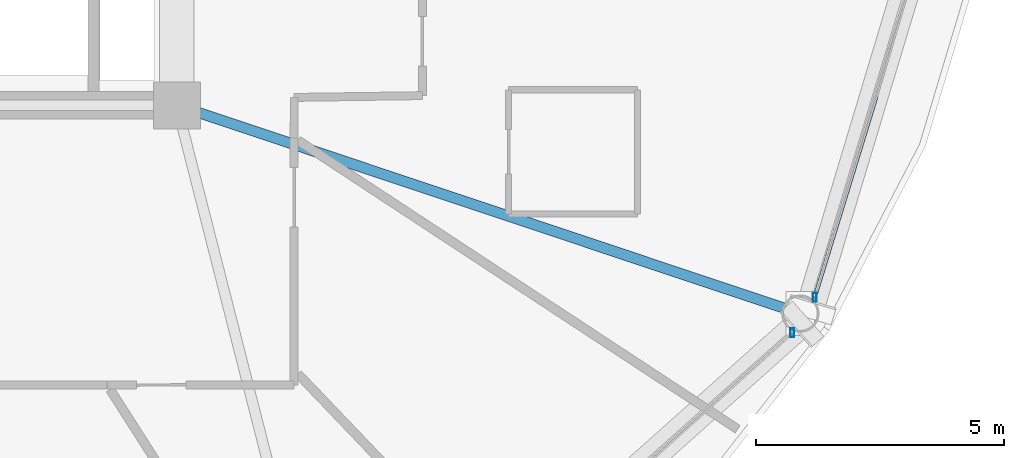
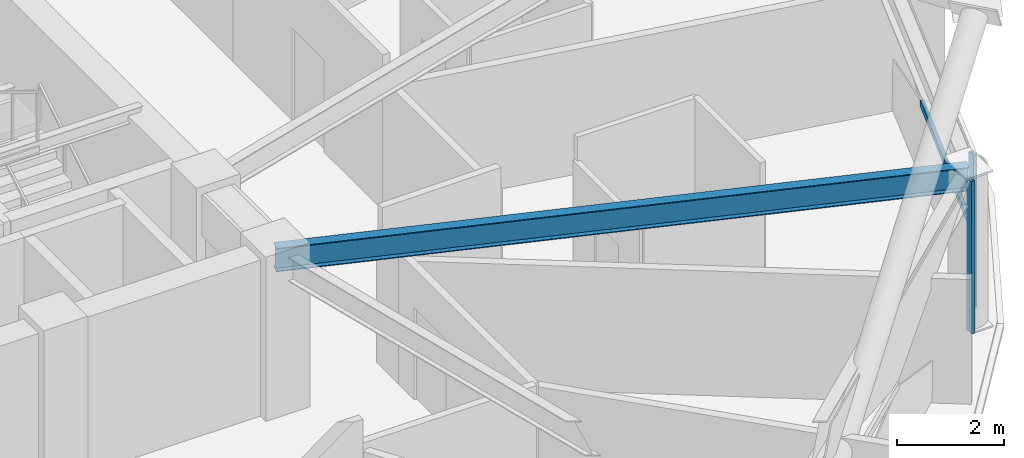
# One storey, part 10 of 32: 3 members, 1 beam, 2 elements without a shape of their own.
"""IFC4 building model written with IfcOpenShell, lengths in metres."""

from ifc_helpers import new_model, si_unit, direction, frame, origin, origin_2d, place, context, subcontext, project, spatial, hollow_rectangle, i_section, extrude, material, layer, layer_set, material_profile, profile_set, type_object, element, aggregate, save


model = new_model("IFC4")

# Units and contexts
model_context = context("Model", 3, precision=1e-05, world=origin(), true_north=direction((0.0, 1.0)))
body_context = subcontext(model_context, "Body", "Model", "MODEL_VIEW")
ifc_project = project(units=[si_unit("LENGTHUNIT", "METRE"), si_unit("AREAUNIT", "SQUARE_METRE"), si_unit("VOLUMEUNIT", "CUBIC_METRE"), si_unit("PLANEANGLEUNIT", "RADIAN"), si_unit("MASSUNIT", "GRAM", prefix="KILO")], contexts=[model_context])

# Site, building, storey
site_placement = place(None, origin())
site = spatial("IfcSite", under=ifc_project, at=site_placement, CompositionType="ELEMENT")
building_placement = place(site_placement, origin())
building = spatial("IfcBuilding", under=site, at=building_placement, Name="Vantalir Tower", CompositionType="ELEMENT")
storey_placement = place(building_placement, frame((0.0, 0.0, 104.699951171875)))
storey = spatial("IfcBuildingStorey", under=building, at=storey_placement, Name="L25", CompositionType="ELEMENT", Elevation=104.699951171875)

# Beam
ifc_material_1 = material(Name="Steel S355", Category="steel")
ifc_material_profile_1 = material_profile(ifc_material_1, i_section(OverallWidth=0.2109375, OverallDepth=0.5390625, WebThickness=0.01171875, FlangeThickness=0.018798828125, at=origin_2d()), Name="Steel S355")
ifc_profile_set_1 = profile_set([ifc_material_profile_1], Name="Steel S355")
beam_type = type_object("IfcBeamType", Name="BM-RB-533x210", PredefinedType="BEAM", material=ifc_profile_set_1)
beam_placement = place(storey_placement, frame((53.659912109375, 13.60595703125, 3.300048828125), z_axis=(-0.948513537224, 0.316736593565, 0.0), x_axis=(-0.316736593565, -0.948513537224, 0.0)))
element("IfcBeam", 1, at=beam_placement, inside=storey, type_object=beam_type, Name="L25 Radial Floor Beam 12", PredefinedType="BEAM", context=body_context, shape_type="SweptSolid", body=[
    extrude(i_section(OverallWidth=0.2109375, OverallDepth=0.5390625, WebThickness=0.01171875, FlangeThickness=0.018798828125, at=origin_2d()), origin(), (0.0, 0.0, 1.0), 13.241455078125),
])

# Curtain wall, member
ifc_material_2 = material(Name="Champagne-silver PVDF aluminium and double-silver Low-E glass", Category="aluminium")
ifc_layer = layer(ifc_material_2, 0.199951171875)
ifc_layer_set = layer_set([ifc_layer], Name="Champagne-silver PVDF aluminium and double-silver Low-E glass")
curtain_wall_type = type_object("IfcCurtainWallType", Name="CW-DIAMOND-Z2", PredefinedType="USERDEFINED", material=ifc_layer_set)
curtain_wall_1_placement = place(storey_placement, origin())
curtain_wall_1 = element("IfcCurtainWall", 2, at=curtain_wall_1_placement, inside=storey, type_object=curtain_wall_type, Name="L25 Quilted Pyramid-Diamond Curtain Wall S11", ObjectType="UNITISED CURTAIN WALL", PredefinedType="USERDEFINED")
ifc_material_3 = material(Name="Champagne-silver PVDF aluminium 6063-T6", Category="aluminium")
ifc_material_profile_2 = material_profile(ifc_material_3, hollow_rectangle(XDim=0.074951171875, YDim=0.179931640625, WallThickness=0.00390625, at=origin_2d()), Name="Champagne-silver PVDF aluminium 6063-T6")
ifc_profile_set_2 = profile_set([ifc_material_profile_2], Name="Champagne-silver PVDF aluminium 6063-T6")
member_type_1 = type_object("IfcMemberType", Name="CWM-180x75", PredefinedType="MULLION", material=ifc_profile_set_2)
member_1_placement = place(storey_placement, frame((53.49609375, 13.218017578125, 0.045166015625), z_axis=(0.0, 0.0, 1.0), x_axis=(1.0, 0.0, 0.0)))
member_1 = element("IfcMember", 3, at=member_1_placement, type_object=member_type_1, Name="CW-L25-S11 Mullion 2", PredefinedType="MULLION", context=body_context, shape_type="SweptSolid", body=[
    extrude(hollow_rectangle(XDim=0.074951171875, YDim=0.179931640625, WallThickness=0.00390625, at=origin_2d()), origin(), (0.0, 0.0, 1.0), 3.47998046875),
])
aggregate(curtain_wall_1, [member_1])

# Curtain wall, members
curtain_wall_2_placement = place(storey_placement, origin())
curtain_wall_2 = element("IfcCurtainWall", 4, at=curtain_wall_2_placement, inside=storey, type_object=curtain_wall_type, Name="L25 Quilted Pyramid-Diamond Curtain Wall S12", ObjectType="UNITISED CURTAIN WALL", PredefinedType="USERDEFINED")
member_2_placement = place(storey_placement, frame((53.950927734375, 13.931884765625, 0.045166015625), z_axis=(0.0, 0.0, 1.0), x_axis=(1.0, 0.0, 0.0)))
member_2 = element("IfcMember", 5, at=member_2_placement, type_object=member_type_1, Name="CW-L25-S12 Mullion 1", PredefinedType="MULLION", context=body_context, shape_type="SweptSolid", body=[
    extrude(hollow_rectangle(XDim=0.074951171875, YDim=0.179931640625, WallThickness=0.00390625, at=origin_2d()), origin(), (0.0, 0.0, 1.0), 3.47998046875),
])
ifc_material_profile_3 = material_profile(ifc_material_3, hollow_rectangle(XDim=0.074951171875, YDim=0.159912109375, WallThickness=0.00390625, at=origin_2d()), Name="Champagne-silver PVDF aluminium 6063-T6")
ifc_profile_set_3 = profile_set([ifc_material_profile_3], Name="Champagne-silver PVDF aluminium 6063-T6")
member_type_2 = type_object("IfcMemberType", Name="CWT-160x75", PredefinedType="USERDEFINED", material=ifc_profile_set_3)
member_3_placement = place(storey_placement, frame((53.950927734375, 13.931884765625, 1.78515625), z_axis=(0.293269537848, 0.956029799834, 0.0), x_axis=(-0.956029799834, 0.293269537848, 0.0)))
member_3 = element("IfcMember", 6, at=member_3_placement, type_object=member_type_2, Name="CW-L25-S12 Pyramid Fold Ridge Transom", ObjectType="TRANSOM", PredefinedType="USERDEFINED", context=body_context, shape_type="SweptSolid", body=[
    extrude(hollow_rectangle(XDim=0.074951171875, YDim=0.159912109375, WallThickness=0.00390625, at=origin_2d()), origin(), (0.0, 0.0, 1.0), 4.224853515625),
])
aggregate(curtain_wall_2, [member_2, member_3])

save(model, "model.ifc")
